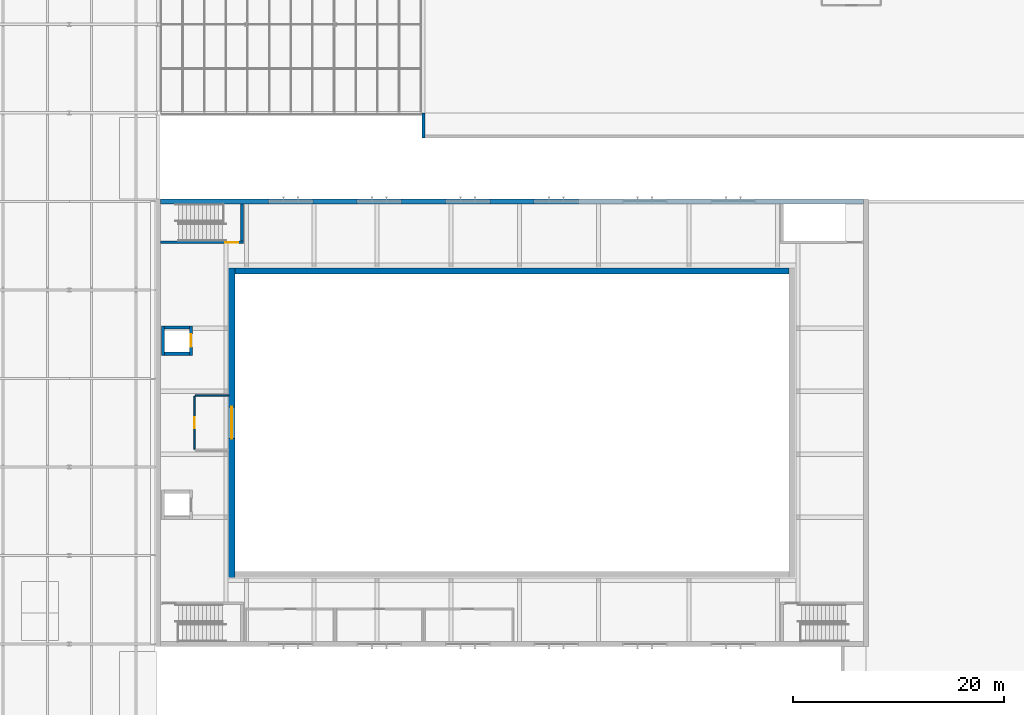
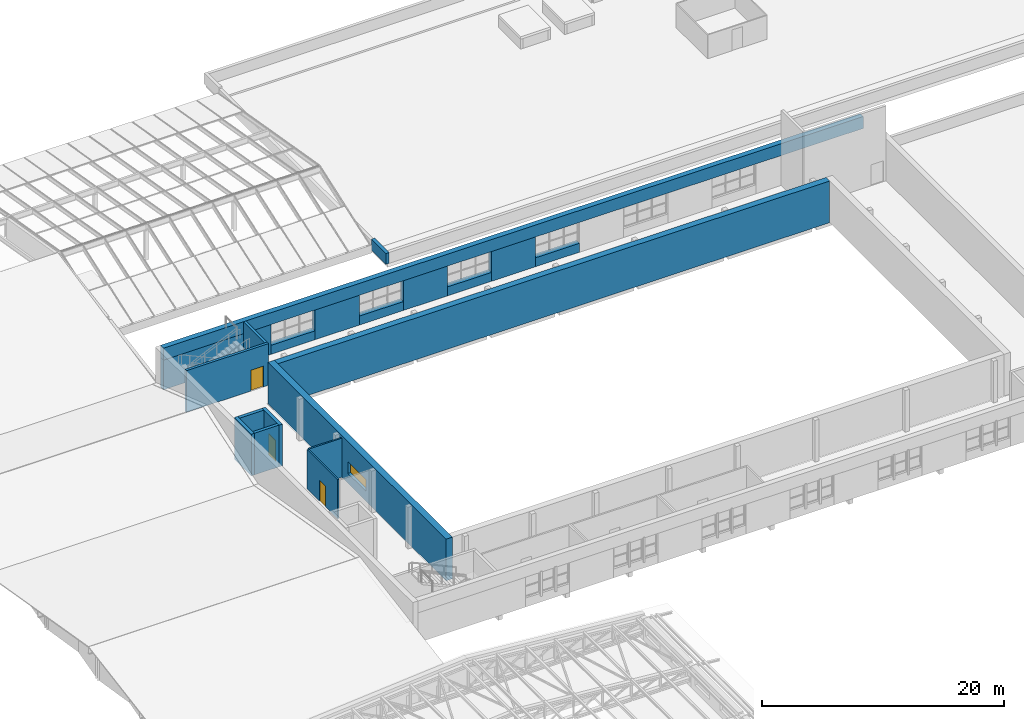
# One storey, part 43 of 60: 20 walls, 3 doors, 1 window, 4 openings.
"""IFC4 building model written with IfcOpenShell, lengths in metres."""

import ifcopenshell
import ifcopenshell.guid

model = None  # the IFC model being written
_history = None  # IfcOwnerHistory: only IFC2X3 demands one
_inside = {}  # id of a spatial element -> (the spatial element, [elements in it])
_under = {}  # id of a project, library or spatial element -> (it, [spatial elements below it])
_declared = {}  # id of a project -> (the project, [libraries it declares])
_typed = {}  # id of a type object -> (the type object, [elements of that type])
_made_of = {}  # id of a material, layer set ... -> (it, [elements and type objects made of it])


def new_model(schema):
    """Start an empty IFC model of exactly this schema.

    Asked for "IFC4X3", IfcOpenShell would pick the latest addendum, in which some entities
    have other attributes; the version numbers below select the first issue.
    IFC2X3 requires an IfcOwnerHistory on every rooted entity: one is made here for all.
    """
    global model, _history
    if schema == "IFC4X3":
        model = ifcopenshell.file(schema_version=(4, 3, 0, 0))
    else:
        model = ifcopenshell.file(schema=schema)
    _inside.clear()
    _under.clear()
    _declared.clear()
    _typed.clear()
    _made_of.clear()
    _history = None
    if model.schema == "IFC2X3":
        org = make("IfcOrganization", Name="unknown")
        user = make(
            "IfcPersonAndOrganization",
            ThePerson=make("IfcPerson", FamilyName="unknown"),
            TheOrganization=org,
        )
        app = make(
            "IfcApplication",
            ApplicationDeveloper=org,
            Version="unknown",
            ApplicationFullName="unknown",
            ApplicationIdentifier="unknown",
        )
        _history = make(
            "IfcOwnerHistory",
            OwningUser=user,
            OwningApplication=app,
            ChangeAction="ADDED",
            CreationDate=0,
        )
    return model


def make(cls, **values):
    """One entity of the class cls with the attributes given. An attribute that is None is left unset."""
    return model.create_entity(
        cls, **{name: value for name, value in values.items() if value is not None}
    )


def rooted(cls, **values):
    """An entity with a GlobalId (a new one), such as an element, a storey or a relation."""
    return make(cls, GlobalId=ifcopenshell.guid.new(), OwnerHistory=_history, **values)


def si_unit(unit_type, name, prefix=None):
    """IfcSIUnit, for example si_unit("LENGTHUNIT", "METRE", prefix="MILLI")."""
    return make("IfcSIUnit", UnitType=unit_type, Prefix=prefix, Name=name)


def assignment(units):
    """IfcUnitAssignment: the units of a project."""
    return None if units is None else make("IfcUnitAssignment", Units=units)


def point(xyz):
    """IfcCartesianPoint."""
    return None if xyz is None else make("IfcCartesianPoint", Coordinates=xyz)


def direction(xyz):
    """IfcDirection."""
    return None if xyz is None else make("IfcDirection", DirectionRatios=xyz)


def frame(location, z_axis=None, x_axis=None):
    """IfcAxis2Placement3D, a coordinate frame: its origin and axes. An axis left out is left unset."""
    return make(
        "IfcAxis2Placement3D",
        Location=point(location),
        Axis=direction(z_axis),
        RefDirection=direction(x_axis),
    )


def frame_2d(location, x_axis=None):
    """IfcAxis2Placement2D, a coordinate frame in the plane: its origin and x axis."""
    return make(
        "IfcAxis2Placement2D", Location=point(location), RefDirection=direction(x_axis)
    )


def origin():
    """The frame at (0, 0, 0) with its axes left unset."""
    return frame((0.0, 0.0, 0.0))


def place(relative_to, where):
    """IfcLocalPlacement: puts the frame where relative to a parent placement (None: the world)."""
    return make(
        "IfcLocalPlacement", PlacementRelTo=relative_to, RelativePlacement=where
    )


def context(
    kind, dimensions, precision=None, world=None, true_north=None, identifier=None
):
    """IfcGeometricRepresentationContext, for example the 3D "Model" context."""
    return make(
        "IfcGeometricRepresentationContext",
        ContextIdentifier=identifier,
        ContextType=kind,
        CoordinateSpaceDimension=dimensions,
        Precision=precision,
        WorldCoordinateSystem=world,
        TrueNorth=true_north,
    )


def subcontext(parent, identifier, kind, view, scale=None):
    """IfcGeometricRepresentationSubContext, for example "Body" below "Model"."""
    return make(
        "IfcGeometricRepresentationSubContext",
        ContextIdentifier=identifier,
        ContextType=kind,
        ParentContext=parent,
        TargetScale=scale,
        TargetView=view,
    )


def project(units=None, contexts=None):
    """IfcProject with its units and contexts."""
    return rooted(
        "IfcProject",
        Name="project",
        RepresentationContexts=contexts,
        UnitsInContext=assignment(units),
    )


def spatial(cls, under=None, at=None, **own):
    """A site, building, storey or space (cls), placed at a placement, below another one or the project."""
    s = rooted(cls, ObjectPlacement=at, **own)
    if under is not None:
        _under.setdefault(under.id(), (under, []))[1].append(s)
    return s


def profile(cls, at=None, kind="AREA", **sizes):
    """A parametric profile (cls). Its sizes go by their IFC names, for example OverallWidth=200.0."""
    return make(cls, ProfileType=kind, Position=at, **sizes)


def rectangle(**sizes):
    """IfcRectangleProfileDef."""
    return profile("IfcRectangleProfileDef", **sizes)


def extrude(swept, where, along, depth):
    """IfcExtrudedAreaSolid: the profile swept, set in the frame where, extruded along a direction by depth."""
    return make(
        "IfcExtrudedAreaSolid",
        SweptArea=swept,
        Position=where,
        ExtrudedDirection=direction(along),
        Depth=depth,
    )


def shape(context_of_items, identifier, shape_type, items):
    """IfcShapeRepresentation: the items that make up one representation, for example the "Body"."""
    return make(
        "IfcShapeRepresentation",
        ContextOfItems=context_of_items,
        RepresentationIdentifier=identifier,
        RepresentationType=shape_type,
        Items=items,
    )


def material(Name=None, Category=None):
    """IfcMaterial."""
    return make("IfcMaterial", Name=Name, Category=Category)


def layer(
    of_material, thickness, ventilated=None, Name=None, Category=None, Priority=None
):
    """IfcMaterialLayer: one layer of a wall or slab, of a material (None: an air gap)."""
    return make(
        "IfcMaterialLayer",
        Material=of_material,
        LayerThickness=thickness,
        IsVentilated=ventilated,
        Name=Name,
        Category=Category,
        Priority=Priority,
    )


def layer_set(layers, Name=None):
    """IfcMaterialLayerSet."""
    return make("IfcMaterialLayerSet", MaterialLayers=layers, LayerSetName=Name)


def made_of(thing, what):
    """Note that an element or type object is made of a material, layer set ...; save() writes the relation."""
    if what is not None:
        _made_of.setdefault(what.id(), (what, []))[1].append(thing)
    return thing


def type_object(cls, material=None, **own):
    """A type object (cls), such as IfcWallType, which elements share."""
    return made_of(rooted(cls, **own), material)


def element(
    cls,
    number,
    at=None,
    inside=None,
    cuts=None,
    type_object=None,
    material=None,
    context=None,
    identifier="Body",
    shape_type=None,
    held_by="IfcProductDefinitionShape",
    body=None,
    shapes=None,
    **own,
):
    """One element of the class cls, such as IfcWall. Its Tag is "e" and its number.

    at: its placement. inside: the storey or other place that contains it. cuts: it is an
    opening in that element (IfcRelVoidsElement). A single representation is given by context,
    identifier, shape_type and body (its items); several are given by shapes. held_by: the class
    of the entity that holds the representations. save() writes the other relations.
    """
    e = rooted(cls, Tag="e%d" % number, ObjectPlacement=at, **own)
    if body is not None:
        shapes = [shape(context, identifier, shape_type, body)]
    if shapes is not None:
        e.Representation = make(held_by, Representations=shapes)
    if inside is not None:
        _inside.setdefault(inside.id(), (inside, []))[1].append(e)
    if cuts is not None:
        rooted(
            "IfcRelVoidsElement", RelatingBuildingElement=cuts, RelatedOpeningElement=e
        )
    if type_object is not None:
        _typed.setdefault(type_object.id(), (type_object, []))[1].append(e)
    return made_of(e, material)


def fill(opening, filler):
    """IfcRelFillsElement: the door or window that sits in an opening."""
    return rooted(
        "IfcRelFillsElement",
        RelatingOpeningElement=opening,
        RelatedBuildingElement=filler,
    )


def aggregate(whole, parts):
    """IfcRelAggregates: a whole, such as a stair, and the parts it consists of."""
    return rooted("IfcRelAggregates", RelatingObject=whole, RelatedObjects=parts)


def save(model, path):
    """Write the relations noted so far, then the file.

    IfcRelAggregates (storeys below a building ...), IfcRelContainedInSpatialStructure (elements
    in a storey), IfcRelDefinesByType, IfcRelAssociatesMaterial and IfcRelDeclares: one each for
    every whole, place, type object, material and project.
    """
    for whole, parts in _under.values():
        aggregate(whole, parts)
    for where, things in _inside.values():
        rooted(
            "IfcRelContainedInSpatialStructure",
            RelatedElements=things,
            RelatingStructure=where,
        )
    for kind, things in _typed.values():
        rooted("IfcRelDefinesByType", RelatedObjects=things, RelatingType=kind)
    for what, things in _made_of.values():
        rooted("IfcRelAssociatesMaterial", RelatedObjects=things, RelatingMaterial=what)
    for by, libraries in _declared.values():
        rooted("IfcRelDeclares", RelatingContext=by, RelatedDefinitions=libraries)
    model.write(path)


model = new_model("IFC4")

# Units and contexts
model_context = context("Model", 3, precision=1e-05, world=origin(), true_north=direction((0.0, 1.0)))
body_context = subcontext(model_context, "Body", "Model", "MODEL_VIEW")
ifc_project = project(units=[si_unit("LENGTHUNIT", "METRE"), si_unit("AREAUNIT", "SQUARE_METRE"), si_unit("VOLUMEUNIT", "CUBIC_METRE"), si_unit("PLANEANGLEUNIT", "RADIAN"), si_unit("MASSUNIT", "GRAM", prefix="KILO")], contexts=[model_context])

# Site, building, storey
site_placement = place(None, origin())
site = spatial("IfcSite", under=ifc_project, at=site_placement, CompositionType="ELEMENT")
building_placement = place(site_placement, origin())
building = spatial("IfcBuilding", under=site, at=building_placement, Name="Ljudholm Concert House", CompositionType="ELEMENT")
storey_placement = place(building_placement, frame((0.0, 0.0, 15.0)))
storey = spatial("IfcBuildingStorey", under=building, at=storey_placement, Name="L03", CompositionType="ELEMENT", Elevation=15.0)

# Wall, opening, door
ifc_material_1 = material(Name="Gypsum board on steel studs", Category="steel")
ifc_layer_1 = layer(ifc_material_1, 0.14990234375)
ifc_layer_set_1 = layer_set([ifc_layer_1], Name="Gypsum board on steel studs")
wall_type_1 = type_object("IfcWallType", Name="GYPSUM PARTITION 150", PredefinedType="PARTITIONING", material=ifc_layer_set_1)
wall_1_placement = place(storey_placement, frame((32.675048828125, 72.89990234375, 0.0), z_axis=(0.0, 0.0, 1.0), x_axis=(0.0, 1.0, 0.0)))
wall_1 = element("IfcWall", 1, at=wall_1_placement, inside=storey, type_object=wall_type_1, Name="Control Room partition", PredefinedType="PARTITIONING", context=body_context, shape_type="SweptSolid", body=[
    extrude(rectangle(XDim=5.0, YDim=0.14990234375, at=frame_2d((2.5, 0.0))), origin(), (0.0, 0.0, 1.0), 3.949951171875),
])
opening_1_placement = place(wall_1_placement, frame((2.0, 0.0, 0.0)))
opening_1 = element("IfcOpeningElement", 2, at=opening_1_placement, cuts=wall_1, Name="Opening D-H03-006", PredefinedType="OPENING", context=body_context, shape_type="SweptSolid", body=[
    extrude(rectangle(XDim=1.0, YDim=2.10009765625, at=frame_2d((0.5, 1.050048828125))), frame((0.0, 0.0849609375, 0.0), z_axis=(0.0, -1.0, 0.0), x_axis=(1.0, 0.0, 0.0)), (0.0, 0.0, 1.0), 0.169921875),
])
ifc_material_2 = material(Name="Hollow metal door in steel frame", Category="steel")
door_type_1 = type_object("IfcDoorType", Name="SWING DOOR 1000x2100", OperationType="SINGLE_SWING_LEFT", PredefinedType="DOOR", material=ifc_material_2)
door_1_placement = place(opening_1_placement, frame((1.0, 0.0, 0.0), z_axis=(0.0, 0.0, 1.0), x_axis=(-1.0, 0.0, 0.0)))
door_1 = element("IfcDoor", 3, at=door_1_placement, inside=storey, type_object=door_type_1, Name="Control Room door", OperationType="SINGLE_SWING_LEFT", OverallHeight=2.10009765625, OverallWidth=1.0, PredefinedType="DOOR", context=body_context, shape_type="SweptSolid", body=[
    extrude(rectangle(XDim=1.0, YDim=2.10009765625, at=frame_2d((0.5, 1.050048828125))), frame((0.0, 0.02490234375, 0.0), z_axis=(0.0, -1.0, 0.0), x_axis=(1.0, 0.0, 0.0)), (0.0, 0.0, 1.0), 0.050048828125),
])
fill(opening_1, door_1)

# Walls
wall_2_placement = place(storey_placement, frame((32.75, 77.97509765625, 0.0), z_axis=(0.0, 0.0, 1.0), x_axis=(1.0, 0.0, 0.0)))
element("IfcWall", 4, at=wall_2_placement, inside=storey, type_object=wall_type_1, Name="Control Room partition", PredefinedType="PARTITIONING", context=body_context, shape_type="SweptSolid", body=[
    extrude(rectangle(XDim=3.14990234375, YDim=0.14990234375, at=frame_2d((1.574951171875, 0.0))), origin(), (0.0, 0.0, 1.0), 3.949951171875),
])
ifc_material_3 = material(Name="Precast concrete 5,000 psi", Category="concrete")
ifc_layer_2 = layer(ifc_material_3, 0.300048828125)
ifc_layer_set_2 = layer_set([ifc_layer_2], Name="Precast concrete 5,000 psi")
wall_type_2 = type_object("IfcWallType", Name="PARAPET 300", PredefinedType="PARAPET", material=ifc_layer_set_2)
wall_3_placement = place(storey_placement, frame((54.39990234375, 102.39990234375, 0.169921875), z_axis=(0.0, 0.0, 1.0), x_axis=(0.0, 1.0, 0.0)))
element("IfcWall", 5, at=wall_3_placement, inside=storey, type_object=wall_type_2, Name="Parapet", PredefinedType="PARAPET", context=body_context, shape_type="SweptSolid", body=[
    extrude(rectangle(XDim=2.400146484375, YDim=0.300048828125, at=frame_2d((1.2001953125, 0.0))), origin(), (0.0, 0.0, 1.0), 1.10009765625),
])

# Wall, opening, door
ifc_material_4 = material(Name="Concrete 6,500 psi", Category="concrete")
ifc_layer_3 = layer(ifc_material_4, 0.25)
ifc_layer_set_3 = layer_set([ifc_layer_3], Name="Concrete 6,500 psi")
wall_type_3 = type_object("IfcWallType", Name="RC WALL 250", PredefinedType="SOLIDWALL", material=ifc_layer_set_3)
wall_4_placement = place(storey_placement, frame((29.449951171875, 92.52490234375, 0.0), z_axis=(0.0, 0.0, 1.0), x_axis=(1.0, 0.0, 0.0)))
wall_4 = element("IfcWall", 6, at=wall_4_placement, inside=storey, type_object=wall_type_3, Name="Stair enclosure wall EH2", PredefinedType="SOLIDWALL", context=body_context, shape_type="SweptSolid", body=[
    extrude(rectangle(XDim=7.85009765625, YDim=0.25, at=frame_2d((3.925048828125, 0.0))), origin(), (0.0, 0.0, 1.0), 4.199951171875),
])
opening_2_placement = place(wall_4_placement, frame((6.14990234375, 0.0, 0.0)))
opening_2 = element("IfcOpeningElement", 7, at=opening_2_placement, cuts=wall_4, Name="Opening D-H03-008", PredefinedType="OPENING", context=body_context, shape_type="SweptSolid", body=[
    extrude(rectangle(XDim=1.199951171875, YDim=2.10009765625, at=frame_2d((0.60009765625, 1.050048828125))), frame((0.0, 0.135009765625, 0.0), z_axis=(0.0, -1.0, 0.0), x_axis=(1.0, 0.0, 0.0)), (0.0, 0.0, 1.0), 0.27001953125),
])
ifc_material_5 = material(Name="Hollow metal door in steel frame", Category="steel")
door_type_2 = type_object("IfcDoorType", Name="SWING DOOR 1200x2100", OperationType="SINGLE_SWING_LEFT", PredefinedType="DOOR", material=ifc_material_5)
door_2_placement = place(opening_2_placement, origin())
door_2 = element("IfcDoor", 8, at=door_2_placement, inside=storey, type_object=door_type_2, Name="Exit stair EH2 door", OperationType="SINGLE_SWING_RIGHT", OverallHeight=2.10009765625, OverallWidth=1.199951171875, PredefinedType="DOOR", context=body_context, shape_type="SweptSolid", body=[
    extrude(rectangle(XDim=1.199951171875, YDim=2.10009765625, at=frame_2d((0.60009765625, 1.050048828125))), frame((0.0, 0.02490234375, 0.0), z_axis=(0.0, -1.0, 0.0), x_axis=(1.0, 0.0, 0.0)), (0.0, 0.0, 1.0), 0.050048828125),
])
fill(opening_2, door_2)

# Walls
wall_5_placement = place(storey_placement, frame((37.175048828125, 92.64990234375, 0.0), z_axis=(0.0, 0.0, 1.0), x_axis=(0.0, 1.0, 0.0)))
element("IfcWall", 9, at=wall_5_placement, inside=storey, type_object=wall_type_3, Name="Stair enclosure wall EH2", PredefinedType="SOLIDWALL", context=body_context, shape_type="SweptSolid", body=[
    extrude(rectangle(XDim=3.5, YDim=0.25, at=frame_2d((1.75, 0.0))), origin(), (0.0, 0.0, 1.0), 4.199951171875),
])
ifc_material_6 = material(Name="Concrete 6,500 psi", Category="concrete")
ifc_layer_4 = layer(ifc_material_6, 0.300048828125)
ifc_layer_set_4 = layer_set([ifc_layer_4], Name="Concrete 6,500 psi")
wall_type_4 = type_object("IfcWallType", Name="RC WALL 300", PredefinedType="SOLIDWALL", material=ifc_layer_set_4)
wall_6_placement = place(storey_placement, frame((29.675048828125, 81.800048828125, 0.0), z_axis=(0.0, 0.0, 1.0), x_axis=(0.0, 1.0, 0.0)))
element("IfcWall", 10, at=wall_6_placement, inside=storey, type_object=wall_type_4, Name="Lift shaft wall", PredefinedType="SOLIDWALL", context=body_context, shape_type="SweptSolid", body=[
    extrude(rectangle(XDim=2.800048828125, YDim=0.300048828125, at=frame_2d((1.39990234375, 0.0))), origin(), (0.0, 0.0, 1.0), 4.199951171875),
])

# Wall, opening, door
wall_7_placement = place(storey_placement, frame((32.324951171875, 81.800048828125, 0.0), z_axis=(0.0, 0.0, 1.0), x_axis=(0.0, 1.0, 0.0)))
wall_7 = element("IfcWall", 11, at=wall_7_placement, inside=storey, type_object=wall_type_4, Name="Lift shaft wall", PredefinedType="SOLIDWALL", context=body_context, shape_type="SweptSolid", body=[
    extrude(rectangle(XDim=2.800048828125, YDim=0.300048828125, at=frame_2d((1.39990234375, 0.0))), origin(), (0.0, 0.0, 1.0), 4.199951171875),
])
opening_3_placement = place(wall_7_placement, frame((0.800048828125, 0.0, 0.0)))
opening_3 = element("IfcOpeningElement", 12, at=opening_3_placement, cuts=wall_7, Name="Opening LD-H03-002", PredefinedType="OPENING", context=body_context, shape_type="SweptSolid", body=[
    extrude(rectangle(XDim=1.199951171875, YDim=2.10009765625, at=frame_2d((0.60009765625, 1.050048828125))), frame((0.0, 0.159912109375, 0.0), z_axis=(0.0, -1.0, 0.0), x_axis=(1.0, 0.0, 0.0)), (0.0, 0.0, 1.0), 0.320068359375),
])
ifc_material_7 = material(Name="Stainless steel sliding landing door, fire-rated", Category="steel")
door_type_3 = type_object("IfcDoorType", Name="LIFT DOOR 1200x2100", OperationType="SLIDING_TO_LEFT", PredefinedType="DOOR", material=ifc_material_7)
door_3_placement = place(opening_3_placement, origin())
door_3 = element("IfcDoor", 13, at=door_3_placement, inside=storey, type_object=door_type_3, Name="Lift landing door", OperationType="SLIDING_TO_LEFT", OverallHeight=2.10009765625, OverallWidth=1.199951171875, PredefinedType="DOOR", context=body_context, shape_type="SweptSolid", body=[
    extrude(rectangle(XDim=1.199951171875, YDim=2.10009765625, at=frame_2d((0.60009765625, 1.050048828125))), frame((0.0, 0.02490234375, 0.0), z_axis=(0.0, -1.0, 0.0), x_axis=(1.0, 0.0, 0.0)), (0.0, 0.0, 1.0), 0.050048828125),
])
fill(opening_3, door_3)

# Walls
for number, where, z_axis, x_axis, name in (
    (14, (29.824951171875, 81.949951171875, 0.0), (0.0, 0.0, 1.0), (1.0, 0.0, 0.0), "Lift shaft wall"),
    (15, (29.824951171875, 84.449951171875, 0.0), (0.0, 0.0, 1.0), (1.0, 0.0, 0.0), "Lift shaft wall"),
):
    element("IfcWall", number, at=place(storey_placement, frame(where, z_axis=z_axis, x_axis=x_axis)), inside=storey, type_object=wall_type_4, Name=name, PredefinedType="SOLIDWALL", context=body_context, shape_type="SweptSolid", body=[
        extrude(rectangle(XDim=2.35009765625, YDim=0.300048828125, at=frame_2d((1.175048828125, 0.0))), origin(), (0.0, 0.0, 1.0), 4.199951171875),
    ])
ifc_material_8 = material(Name="Concrete 6,500 psi", Category="concrete")
ifc_layer_5 = layer(ifc_material_8, 0.5)
ifc_layer_set_5 = layer_set([ifc_layer_5], Name="Concrete 6,500 psi")
wall_type_5 = type_object("IfcWallType", Name="RC WALL 500", PredefinedType="SOLIDWALL", material=ifc_layer_set_5)
wall_8_placement = place(storey_placement, frame((29.449951171875, 96.39990234375, 0.0), z_axis=(0.0, 0.0, 1.0), x_axis=(1.0, 0.0, 0.0)))
element("IfcWall", 16, at=wall_8_placement, inside=storey, type_object=wall_type_5, Name="Outer wall N", PredefinedType="SOLIDWALL", context=body_context, shape_type="SweptSolid", body=[
    extrude(rectangle(XDim=10.25, YDim=0.5, at=frame_2d((5.125, 0.0))), origin(), (0.0, 0.0, 1.0), 3.0),
])
wall_9_placement = place(storey_placement, frame((43.89990234375, 96.39990234375, 0.0), z_axis=(0.0, 0.0, 1.0), x_axis=(1.0, 0.0, 0.0)))
element("IfcWall", 17, at=wall_9_placement, inside=storey, type_object=wall_type_5, Name="Outer wall N", PredefinedType="SOLIDWALL", context=body_context, shape_type="SweptSolid", body=[
    extrude(rectangle(XDim=4.2001953125, YDim=0.5, at=frame_2d((2.10009765625, 0.0))), origin(), (0.0, 0.0, 1.0), 3.0),
])
for number, where, z_axis, x_axis, name in (
    (18, (52.300048828125, 96.39990234375, 0.0), (0.0, 0.0, 1.0), (1.0, 0.0, 0.0), "Outer wall N"),
    (19, (60.699951171875, 96.39990234375, 0.0), (0.0, 0.0, 1.0), (1.0, 0.0, 0.0), "Outer wall N"),
):
    element("IfcWall", number, at=place(storey_placement, frame(where, z_axis=z_axis, x_axis=x_axis)), inside=storey, type_object=wall_type_5, Name=name, PredefinedType="SOLIDWALL", context=body_context, shape_type="SweptSolid", body=[
        extrude(rectangle(XDim=4.199951171875, YDim=0.5, at=frame_2d((2.10009765625, 0.0))), origin(), (0.0, 0.0, 1.0), 3.0),
    ])
for number, where, z_axis, x_axis, name in (
    (20, (39.699951171875, 96.39990234375, 0.0), (0.0, 0.0, 1.0), (1.0, 0.0, 0.0), "Outer wall N"),
    (21, (48.10009765625, 96.39990234375, 0.0), (0.0, 0.0, 1.0), (1.0, 0.0, 0.0), "Outer wall N"),
    (22, (56.5, 96.39990234375, 0.0), (0.0, 0.0, 1.0), (1.0, 0.0, 0.0), "Outer wall N"),
):
    element("IfcWall", number, at=place(storey_placement, frame(where, z_axis=z_axis, x_axis=x_axis)), inside=storey, type_object=wall_type_5, Name=name, PredefinedType="SOLIDWALL", context=body_context, shape_type="SweptSolid", body=[
        extrude(rectangle(XDim=4.199951171875, YDim=0.5, at=frame_2d((2.10009765625, 0.0))), origin(), (0.0, 0.0, 1.0), 0.89990234375),
    ])
wall_10_placement = place(storey_placement, frame((64.89990234375, 96.39990234375, 0.0), z_axis=(0.0, 0.0, 1.0), x_axis=(1.0, 0.0, 0.0)))
element("IfcWall", 23, at=wall_10_placement, inside=storey, type_object=wall_type_5, Name="Outer wall N", PredefinedType="SOLIDWALL", context=body_context, shape_type="SweptSolid", body=[
    extrude(rectangle(XDim=4.2001953125, YDim=0.5, at=frame_2d((2.10009765625, 0.0))), origin(), (0.0, 0.0, 1.0), 0.89990234375),
])
wall_11_placement = place(storey_placement, frame((29.449951171875, 96.39990234375, 3.0), z_axis=(0.0, 0.0, 1.0), x_axis=(1.0, 0.0, 0.0)))
element("IfcWall", 24, at=wall_11_placement, inside=storey, type_object=wall_type_5, Name="Outer wall N", PredefinedType="SOLIDWALL", context=body_context, shape_type="SweptSolid", body=[
    extrude(rectangle(XDim=66.699951171875, YDim=0.5, at=frame_2d((33.35009765625, 0.0))), origin(), (0.0, 0.0, 1.0), 1.199951171875),
])

# Wall, opening, window
ifc_material_9 = material(Name="Concrete 6,500 psi", Category="concrete")
ifc_layer_6 = layer(ifc_material_9, 0.60009765625)
ifc_layer_set_6 = layer_set([ifc_layer_6], Name="Concrete 6,500 psi")
wall_type_6 = type_object("IfcWallType", Name="RC WALL 600", PredefinedType="SOLIDWALL", material=ifc_layer_set_6)
wall_12_placement = place(storey_placement, frame((36.199951171875, 60.699951171875, 0.0), z_axis=(0.0, 0.0, 1.0), x_axis=(0.0, 1.0, 0.0)))
wall_12 = element("IfcWall", 25, at=wall_12_placement, inside=storey, type_object=wall_type_6, Name="Inner box wall W", PredefinedType="SOLIDWALL", context=body_context, shape_type="SweptSolid", body=[
    extrude(rectangle(XDim=29.400146484375, YDim=0.60009765625, at=frame_2d((14.7001953125, 0.0))), origin(), (0.0, 0.0, 1.0), 4.199951171875),
])
opening_4_placement = place(wall_12_placement, frame((13.199951171875, 0.0, 1.0)))
opening_4 = element("IfcOpeningElement", 26, at=opening_4_placement, cuts=wall_12, Name="Opening X-H03-001", PredefinedType="OPENING", context=body_context, shape_type="SweptSolid", body=[
    extrude(rectangle(XDim=3.0, YDim=1.199951171875, at=frame_2d((1.5, 0.60009765625))), frame((0.0, 0.31005859375, 0.0), z_axis=(0.0, -1.0, 0.0), x_axis=(1.0, 0.0, 0.0)), (0.0, 0.0, 1.0), 0.6201171875),
])
ifc_material_10 = material(Name="Laminated acoustic glazing in steel frame", Category="steel")
window_type = type_object("IfcWindowType", Name="FIXED WINDOW 3000x1200", PartitioningType="SINGLE_PANEL", PredefinedType="WINDOW", material=ifc_material_10)
window_placement = place(opening_4_placement, origin())
window = element("IfcWindow", 27, at=window_placement, inside=storey, type_object=window_type, Name="Control room window", OverallHeight=1.199951171875, OverallWidth=3.0, PartitioningType="SINGLE_PANEL", PredefinedType="WINDOW", context=body_context, shape_type="SweptSolid", body=[
    extrude(rectangle(XDim=3.0, YDim=1.199951171875, at=frame_2d((1.5, 0.60009765625))), frame((0.0, 0.030029296875, 0.0), z_axis=(0.0, -1.0, 0.0), x_axis=(1.0, 0.0, 0.0)), (0.0, 0.0, 1.0), 0.06005859375),
])
fill(opening_4, window)

# Wall
wall_13_placement = place(storey_placement, frame((36.5, 89.800048828125, 0.0), z_axis=(0.0, 0.0, 1.0), x_axis=(1.0, 0.0, 0.0)))
element("IfcWall", 28, at=wall_13_placement, inside=storey, type_object=wall_type_6, Name="Inner box wall N", PredefinedType="SOLIDWALL", context=body_context, shape_type="SweptSolid", body=[
    extrude(rectangle(XDim=52.60009765625, YDim=0.60009765625, at=frame_2d((26.300048828125, 0.0))), origin(), (0.0, 0.0, 1.0), 4.199951171875),
])

save(model, "model.ifc")
